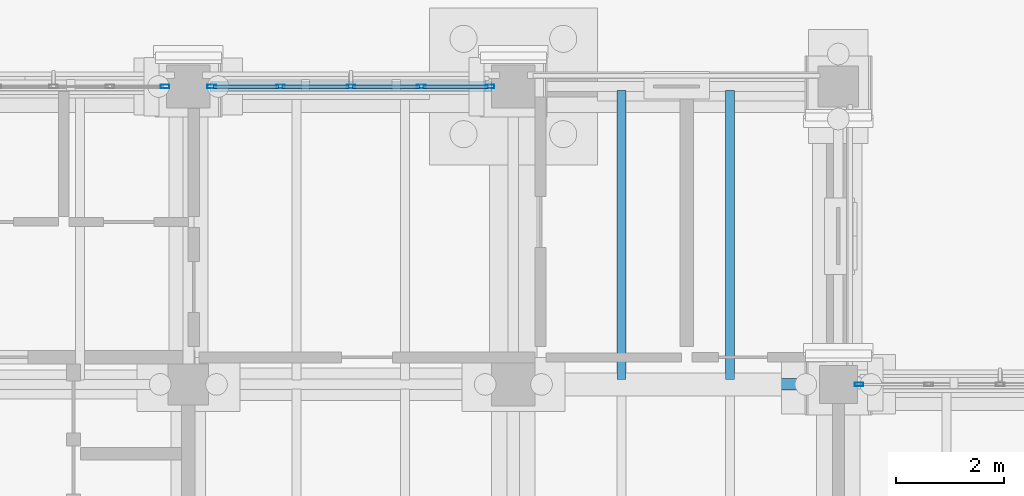
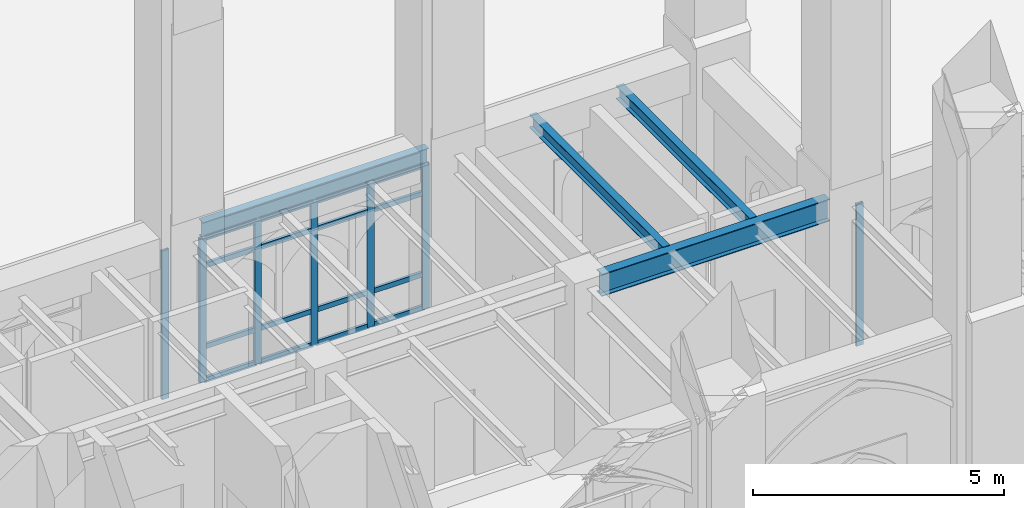
# One storey, part 25 of 135: 23 members, 4 beams, 3 elements without a shape of their own.
"""IFC4 building model written with IfcOpenShell, lengths in metres."""

from ifc_helpers import new_model, si_unit, direction, frame, origin, origin_2d, place, context, subcontext, project, spatial, hollow_rectangle, i_section, extrude, material, layer, layer_set, material_profile, profile_set, type_object, element, aggregate, save


model = new_model("IFC4")

# Units and contexts
model_context = context("Model", 3, precision=1e-05, world=origin(), true_north=direction((0.0, 1.0)))
body_context = subcontext(model_context, "Body", "Model", "MODEL_VIEW")
ifc_project = project(units=[si_unit("LENGTHUNIT", "METRE"), si_unit("AREAUNIT", "SQUARE_METRE"), si_unit("VOLUMEUNIT", "CUBIC_METRE"), si_unit("PLANEANGLEUNIT", "RADIAN"), si_unit("MASSUNIT", "GRAM", prefix="KILO")], contexts=[model_context])

# Site, building, storey
site_placement = place(None, origin())
site = spatial("IfcSite", under=ifc_project, at=site_placement, CompositionType="ELEMENT")
building_placement = place(site_placement, origin())
building = spatial("IfcBuilding", under=site, at=building_placement, Name="Cumevento Cable Car Station", CompositionType="ELEMENT")
storey_placement = place(building_placement, origin())
storey = spatial("IfcBuildingStorey", under=building, at=storey_placement, Name="L01", CompositionType="ELEMENT", Elevation=0.0)

# Curtain wall, member
ifc_material_1 = material(Name="Anodised Bronze Aluminium AW-6063-T6", Category="aluminium")
ifc_layer_1 = layer(ifc_material_1, 0.172119140625)
ifc_layer_set_1 = layer_set([ifc_layer_1], Name="Anodised Bronze Aluminium AW-6063-T6")
curtain_wall_type_1 = type_object("IfcCurtainWallType", Name="Lancet Curtain Wall CW-03 1130", PredefinedType="NOTDEFINED", material=ifc_layer_set_1)
curtain_wall_1_placement = place(storey_placement, origin())
curtain_wall_1 = element("IfcCurtainWall", 1, at=curtain_wall_1_placement, inside=storey, type_object=curtain_wall_type_1, Name="Lancet Curtain Wall CW-03 L01 #2", PredefinedType="NOTDEFINED")
ifc_material_2 = material(Name="Anodised Bronze Aluminium AW-6063-T6", Category="aluminium")
ifc_material_profile_1 = material_profile(ifc_material_2, hollow_rectangle(XDim=0.06494140625, YDim=0.159912109375, WallThickness=0.00390625, at=origin_2d()), Name="ALUM65x160x4")
ifc_profile_set_1 = profile_set([ifc_material_profile_1], Name="Anodised Bronze Aluminium AW-6063-T6")
member_type_1 = type_object("IfcMemberType", Name="Curtain Mullion CWM-01 ALUM65x160x4", PredefinedType="MULLION", material=ifc_profile_set_1)
member_1_placement = place(storey_placement, frame((33.5673828125, 15.0, 0.260009765625), z_axis=(0.0, 0.0, 1.0), x_axis=(0.0, 1.0, 0.0)))
member_1 = element("IfcMember", 2, at=member_1_placement, type_object=member_type_1, Name="CW-03 mullion 6", PredefinedType="MULLION", context=body_context, shape_type="SweptSolid", body=[
    extrude(hollow_rectangle(XDim=0.06494140625, YDim=0.159912109375, WallThickness=0.00390625, at=origin_2d()), origin(), (0.0, 0.0, 1.0), 3.62109375),
])
aggregate(curtain_wall_1, [member_1])

# Curtain wall, members
ifc_material_3 = material(Name="Anodised Bronze Aluminium AW-6063-T6", Category="aluminium")
ifc_layer_2 = layer(ifc_material_3, 0.18408203125)
ifc_layer_set_2 = layer_set([ifc_layer_2], Name="Anodised Bronze Aluminium AW-6063-T6")
curtain_wall_type_2 = type_object("IfcCurtainWallType", Name="Lancet Curtain Wall CW-05 1210", PredefinedType="NOTDEFINED", material=ifc_layer_set_2)
curtain_wall_2_placement = place(storey_placement, origin())
curtain_wall_2 = element("IfcCurtainWall", 3, at=curtain_wall_2_placement, inside=storey, type_object=curtain_wall_type_2, Name="Lancet Curtain Wall CW-05 L01 #4", PredefinedType="NOTDEFINED")
member_2_placement = place(storey_placement, frame((34.4326171875, 15.0, 0.360107421875), z_axis=(0.0, 0.0, 1.0), x_axis=(0.0, 1.0, 0.0)))
member_2 = element("IfcMember", 4, at=member_2_placement, type_object=member_type_1, Name="CW-05 mullion 1", PredefinedType="MULLION", context=body_context, shape_type="SweptSolid", body=[
    extrude(hollow_rectangle(XDim=0.06494140625, YDim=0.159912109375, WallThickness=0.00390625, at=origin_2d()), origin(), (0.0, 0.0, 1.0), 3.52099609375),
])
member_3_placement = place(storey_placement, frame((35.699951171875, 15.0, 0.360107421875), z_axis=(0.0, 0.0, 1.0), x_axis=(0.0, 1.0, 0.0)))
member_3 = element("IfcMember", 5, at=member_3_placement, type_object=member_type_1, Name="CW-05 mullion 2", PredefinedType="MULLION", context=body_context, shape_type="SweptSolid", body=[
    extrude(hollow_rectangle(XDim=0.06494140625, YDim=0.159912109375, WallThickness=0.00390625, at=origin_2d()), origin(), (0.0, 0.0, 1.0), 3.52099609375),
])
member_4_placement = place(storey_placement, frame((37.0, 15.0, 0.360107421875), z_axis=(0.0, 0.0, 1.0), x_axis=(0.0, 1.0, 0.0)))
member_4 = element("IfcMember", 6, at=member_4_placement, type_object=member_type_1, Name="CW-05 mullion 3", PredefinedType="MULLION", context=body_context, shape_type="SweptSolid", body=[
    extrude(hollow_rectangle(XDim=0.06494140625, YDim=0.159912109375, WallThickness=0.00390625, at=origin_2d()), origin(), (0.0, 0.0, 1.0), 3.52099609375),
])
member_5_placement = place(storey_placement, frame((38.300048828125, 15.0, 0.360107421875), z_axis=(0.0, 0.0, 1.0), x_axis=(0.0, 1.0, 0.0)))
member_5 = element("IfcMember", 7, at=member_5_placement, type_object=member_type_1, Name="CW-05 mullion 4", PredefinedType="MULLION", context=body_context, shape_type="SweptSolid", body=[
    extrude(hollow_rectangle(XDim=0.06494140625, YDim=0.159912109375, WallThickness=0.00390625, at=origin_2d()), origin(), (0.0, 0.0, 1.0), 3.52099609375),
])
member_6_placement = place(storey_placement, frame((39.5673828125, 15.0, 0.360107421875), z_axis=(0.0, 0.0, 1.0), x_axis=(0.0, 1.0, 0.0)))
member_6 = element("IfcMember", 8, at=member_6_placement, type_object=member_type_1, Name="CW-05 mullion 5", PredefinedType="MULLION", context=body_context, shape_type="SweptSolid", body=[
    extrude(hollow_rectangle(XDim=0.06494140625, YDim=0.159912109375, WallThickness=0.00390625, at=origin_2d()), origin(), (0.0, 0.0, 1.0), 3.52099609375),
])

# Curtain wall, member
ifc_material_4 = material(Name="Anodised Bronze Aluminium AW-6063-T6", Category="aluminium")
ifc_layer_3 = layer(ifc_material_4, 0.18994140625)
ifc_layer_set_3 = layer_set([ifc_layer_3], Name="Anodised Bronze Aluminium AW-6063-T6")
curtain_wall_type_3 = type_object("IfcCurtainWallType", Name="Lancet Curtain Wall CW-06 1250", PredefinedType="NOTDEFINED", material=ifc_layer_set_3)
curtain_wall_3_placement = place(storey_placement, origin())
curtain_wall_3 = element("IfcCurtainWall", 9, at=curtain_wall_3_placement, inside=storey, type_object=curtain_wall_type_3, Name="Lancet Curtain Wall CW-06 L01 #5", PredefinedType="NOTDEFINED")
member_7_placement = place(storey_placement, frame((46.382568359375, 9.5, 0.409912109375), z_axis=(0.0, 0.0, 1.0), x_axis=(0.0, 1.0, 0.0)))
member_7 = element("IfcMember", 10, at=member_7_placement, type_object=member_type_1, Name="CW-06 mullion 1", PredefinedType="MULLION", context=body_context, shape_type="SweptSolid", body=[
    extrude(hollow_rectangle(XDim=0.06494140625, YDim=0.159912109375, WallThickness=0.00390625, at=origin_2d()), origin(), (0.0, 0.0, 1.0), 3.458984375),
])
aggregate(curtain_wall_3, [member_7])

# Member
ifc_material_5 = material(Name="Anodised Bronze Aluminium AW-6063-T6", Category="aluminium")
ifc_material_profile_2 = material_profile(ifc_material_5, hollow_rectangle(XDim=0.06494140625, YDim=0.1201171875, WallThickness=0.00390625, at=origin_2d()), Name="ALUT65x120x4")
ifc_profile_set_2 = profile_set([ifc_material_profile_2], Name="Anodised Bronze Aluminium AW-6063-T6")
member_type_2 = type_object("IfcMemberType", Name="Curtain Transom CWT-01 ALUT65x120x4", PredefinedType="USERDEFINED", material=ifc_profile_set_2)
member_8_placement = place(storey_placement, frame((34.465087890625, 15.0, 0.392578125), z_axis=(1.0, 0.0, 0.0), x_axis=(0.0, 1.0, 0.0)))
member_8 = element("IfcMember", 11, at=member_8_placement, type_object=member_type_2, Name="CW-05 transom 1.1", ObjectType="TRANSOM", PredefinedType="USERDEFINED", context=body_context, shape_type="SweptSolid", body=[
    extrude(hollow_rectangle(XDim=0.06494140625, YDim=0.1201171875, WallThickness=0.00390625, at=origin_2d()), origin(), (0.0, 0.0, 1.0), 1.202392578125),
])

member_9_placement = place(storey_placement, frame((34.465087890625, 15.0, 1.2099609375), z_axis=(1.0, 0.0, 0.0), x_axis=(0.0, 1.0, 0.0)))
member_9 = element("IfcMember", 12, at=member_9_placement, type_object=member_type_2, Name="CW-05 transom 1.2", ObjectType="TRANSOM", PredefinedType="USERDEFINED", context=body_context, shape_type="SweptSolid", body=[
    extrude(hollow_rectangle(XDim=0.06494140625, YDim=0.1201171875, WallThickness=0.00390625, at=origin_2d()), origin(), (0.0, 0.0, 1.0), 1.202392578125),
])

member_10_placement = place(storey_placement, frame((34.465087890625, 15.0, 3.180908203125), z_axis=(1.0, 0.0, 0.0), x_axis=(0.0, 1.0, 0.0)))
member_10 = element("IfcMember", 13, at=member_10_placement, type_object=member_type_2, Name="CW-05 transom 1.3", ObjectType="TRANSOM", PredefinedType="USERDEFINED", context=body_context, shape_type="SweptSolid", body=[
    extrude(hollow_rectangle(XDim=0.06494140625, YDim=0.1201171875, WallThickness=0.00390625, at=origin_2d()), origin(), (0.0, 0.0, 1.0), 1.202392578125),
])

member_11_placement = place(storey_placement, frame((34.465087890625, 15.0, 3.848388671875), z_axis=(1.0, 0.0, 0.0), x_axis=(0.0, 1.0, 0.0)))
member_11 = element("IfcMember", 14, at=member_11_placement, type_object=member_type_2, Name="CW-05 transom 1.4", ObjectType="TRANSOM", PredefinedType="USERDEFINED", context=body_context, shape_type="SweptSolid", body=[
    extrude(hollow_rectangle(XDim=0.06494140625, YDim=0.1201171875, WallThickness=0.00390625, at=origin_2d()), origin(), (0.0, 0.0, 1.0), 1.202392578125),
])

member_12_placement = place(storey_placement, frame((35.732421875, 15.0, 0.392578125), z_axis=(1.0, 0.0, 0.0), x_axis=(0.0, 1.0, 0.0)))
member_12 = element("IfcMember", 15, at=member_12_placement, type_object=member_type_2, Name="CW-05 transom 2.1", ObjectType="TRANSOM", PredefinedType="USERDEFINED", context=body_context, shape_type="SweptSolid", body=[
    extrude(hollow_rectangle(XDim=0.06494140625, YDim=0.1201171875, WallThickness=0.00390625, at=origin_2d()), origin(), (0.0, 0.0, 1.0), 1.235107421875),
])

member_13_placement = place(storey_placement, frame((35.732421875, 15.0, 1.2099609375), z_axis=(1.0, 0.0, 0.0), x_axis=(0.0, 1.0, 0.0)))
member_13 = element("IfcMember", 16, at=member_13_placement, type_object=member_type_2, Name="CW-05 transom 2.2", ObjectType="TRANSOM", PredefinedType="USERDEFINED", context=body_context, shape_type="SweptSolid", body=[
    extrude(hollow_rectangle(XDim=0.06494140625, YDim=0.1201171875, WallThickness=0.00390625, at=origin_2d()), origin(), (0.0, 0.0, 1.0), 1.235107421875),
])

member_14_placement = place(storey_placement, frame((35.732421875, 15.0, 3.180908203125), z_axis=(1.0, 0.0, 0.0), x_axis=(0.0, 1.0, 0.0)))
member_14 = element("IfcMember", 17, at=member_14_placement, type_object=member_type_2, Name="CW-05 transom 2.3", ObjectType="TRANSOM", PredefinedType="USERDEFINED", context=body_context, shape_type="SweptSolid", body=[
    extrude(hollow_rectangle(XDim=0.06494140625, YDim=0.1201171875, WallThickness=0.00390625, at=origin_2d()), origin(), (0.0, 0.0, 1.0), 1.235107421875),
])

member_15_placement = place(storey_placement, frame((35.732421875, 15.0, 3.848388671875), z_axis=(1.0, 0.0, 0.0), x_axis=(0.0, 1.0, 0.0)))
member_15 = element("IfcMember", 18, at=member_15_placement, type_object=member_type_2, Name="CW-05 transom 2.4", ObjectType="TRANSOM", PredefinedType="USERDEFINED", context=body_context, shape_type="SweptSolid", body=[
    extrude(hollow_rectangle(XDim=0.06494140625, YDim=0.1201171875, WallThickness=0.00390625, at=origin_2d()), origin(), (0.0, 0.0, 1.0), 1.235107421875),
])

member_16_placement = place(storey_placement, frame((37.032470703125, 15.0, 0.392578125), z_axis=(1.0, 0.0, 0.0), x_axis=(0.0, 1.0, 0.0)))
member_16 = element("IfcMember", 19, at=member_16_placement, type_object=member_type_2, Name="CW-05 transom 3.1", ObjectType="TRANSOM", PredefinedType="USERDEFINED", context=body_context, shape_type="SweptSolid", body=[
    extrude(hollow_rectangle(XDim=0.06494140625, YDim=0.1201171875, WallThickness=0.00390625, at=origin_2d()), origin(), (0.0, 0.0, 1.0), 1.235107421875),
])

member_17_placement = place(storey_placement, frame((37.032470703125, 15.0, 1.2099609375), z_axis=(1.0, 0.0, 0.0), x_axis=(0.0, 1.0, 0.0)))
member_17 = element("IfcMember", 20, at=member_17_placement, type_object=member_type_2, Name="CW-05 transom 3.2", ObjectType="TRANSOM", PredefinedType="USERDEFINED", context=body_context, shape_type="SweptSolid", body=[
    extrude(hollow_rectangle(XDim=0.06494140625, YDim=0.1201171875, WallThickness=0.00390625, at=origin_2d()), origin(), (0.0, 0.0, 1.0), 1.235107421875),
])

member_18_placement = place(storey_placement, frame((37.032470703125, 15.0, 3.180908203125), z_axis=(1.0, 0.0, 0.0), x_axis=(0.0, 1.0, 0.0)))
member_18 = element("IfcMember", 21, at=member_18_placement, type_object=member_type_2, Name="CW-05 transom 3.3", ObjectType="TRANSOM", PredefinedType="USERDEFINED", context=body_context, shape_type="SweptSolid", body=[
    extrude(hollow_rectangle(XDim=0.06494140625, YDim=0.1201171875, WallThickness=0.00390625, at=origin_2d()), origin(), (0.0, 0.0, 1.0), 1.235107421875),
])

member_19_placement = place(storey_placement, frame((37.032470703125, 15.0, 3.848388671875), z_axis=(1.0, 0.0, 0.0), x_axis=(0.0, 1.0, 0.0)))
member_19 = element("IfcMember", 22, at=member_19_placement, type_object=member_type_2, Name="CW-05 transom 3.4", ObjectType="TRANSOM", PredefinedType="USERDEFINED", context=body_context, shape_type="SweptSolid", body=[
    extrude(hollow_rectangle(XDim=0.06494140625, YDim=0.1201171875, WallThickness=0.00390625, at=origin_2d()), origin(), (0.0, 0.0, 1.0), 1.235107421875),
])

member_20_placement = place(storey_placement, frame((38.33251953125, 15.0, 0.392578125), z_axis=(1.0, 0.0, 0.0), x_axis=(0.0, 1.0, 0.0)))
member_20 = element("IfcMember", 23, at=member_20_placement, type_object=member_type_2, Name="CW-05 transom 4.1", ObjectType="TRANSOM", PredefinedType="USERDEFINED", context=body_context, shape_type="SweptSolid", body=[
    extrude(hollow_rectangle(XDim=0.06494140625, YDim=0.1201171875, WallThickness=0.00390625, at=origin_2d()), origin(), (0.0, 0.0, 1.0), 1.202392578125),
])

member_21_placement = place(storey_placement, frame((38.33251953125, 15.0, 1.2099609375), z_axis=(1.0, 0.0, 0.0), x_axis=(0.0, 1.0, 0.0)))
member_21 = element("IfcMember", 24, at=member_21_placement, type_object=member_type_2, Name="CW-05 transom 4.2", ObjectType="TRANSOM", PredefinedType="USERDEFINED", context=body_context, shape_type="SweptSolid", body=[
    extrude(hollow_rectangle(XDim=0.06494140625, YDim=0.1201171875, WallThickness=0.00390625, at=origin_2d()), origin(), (0.0, 0.0, 1.0), 1.202392578125),
])

member_22_placement = place(storey_placement, frame((38.33251953125, 15.0, 3.180908203125), z_axis=(1.0, 0.0, 0.0), x_axis=(0.0, 1.0, 0.0)))
member_22 = element("IfcMember", 25, at=member_22_placement, type_object=member_type_2, Name="CW-05 transom 4.3", ObjectType="TRANSOM", PredefinedType="USERDEFINED", context=body_context, shape_type="SweptSolid", body=[
    extrude(hollow_rectangle(XDim=0.06494140625, YDim=0.1201171875, WallThickness=0.00390625, at=origin_2d()), origin(), (0.0, 0.0, 1.0), 1.202392578125),
])

member_23_placement = place(storey_placement, frame((38.33251953125, 15.0, 3.848388671875), z_axis=(1.0, 0.0, 0.0), x_axis=(0.0, 1.0, 0.0)))
member_23 = element("IfcMember", 26, at=member_23_placement, type_object=member_type_2, Name="CW-05 transom 4.4", ObjectType="TRANSOM", PredefinedType="USERDEFINED", context=body_context, shape_type="SweptSolid", body=[
    extrude(hollow_rectangle(XDim=0.06494140625, YDim=0.1201171875, WallThickness=0.00390625, at=origin_2d()), origin(), (0.0, 0.0, 1.0), 1.202392578125),
])

aggregate(curtain_wall_2, [member_2, member_3, member_4, member_5, member_6, member_8, member_9, member_10, member_11, member_12, member_13, member_14, member_15, member_16, member_17, member_18, member_19, member_20, member_21, member_22, member_23])

# Beams
ifc_material_6 = material(Name="Steel ASTM A572 Grade 50", Category="steel")
ifc_material_profile_3 = material_profile(ifc_material_6, i_section(OverallWidth=0.2109375, OverallDepth=0.5390625, WebThickness=0.01171875, FlangeThickness=0.018798828125, at=origin_2d()), Name="W530x109.0")
ifc_profile_set_3 = profile_set([ifc_material_profile_3], Name="Steel ASTM A572 Grade 50")
beam_type_1 = type_object("IfcBeamType", Name="Structural Beam BM-11 W530x109.0", PredefinedType="BEAM", material=ifc_profile_set_3)
beam_1_placement = place(storey_placement, frame((40.39990234375, 9.5, 4.006591796875), z_axis=(1.0, 0.0, 0.0), x_axis=(0.0, 1.0, 0.0)))
element("IfcBeam", 27, at=beam_1_placement, inside=storey, type_object=beam_type_1, Name="Beam BM-11 L01 #8", PredefinedType="BEAM", context=body_context, shape_type="SweptSolid", body=[
    extrude(i_section(OverallWidth=0.2109375, OverallDepth=0.5390625, WebThickness=0.01171875, FlangeThickness=0.018798828125, at=origin_2d()), origin(), (0.0, 0.0, 1.0), 5.25),
])
ifc_material_7 = material(Name="Steel ASTM A572 Grade 50", Category="steel")
ifc_material_profile_4 = material_profile(ifc_material_7, i_section(OverallWidth=0.1669921875, OverallDepth=0.31689453125, WebThickness=0.007568359375, FlangeThickness=0.01318359375, at=origin_2d()), Name="W310x52.0")
ifc_profile_set_4 = profile_set([ifc_material_profile_4], Name="Steel ASTM A572 Grade 50")
beam_type_2 = type_object("IfcBeamType", Name="Structural Joist JS-02 W310x52.0", PredefinedType="JOIST", material=ifc_profile_set_4)
for number, where, z_axis, x_axis, name in (
    (28, (42.0, 9.593505859375, 4.12939453125), (0.0, 1.0, 0.0), (-1.0, 0.0, 0.0), "Composite Floor Joist JS-02 L01 #314"),
    (29, (44.0, 9.593505859375, 4.12939453125), (0.0, 1.0, 0.0), (-1.0, 0.0, 0.0), "Composite Floor Joist JS-02 L01 #316"),
):
    element("IfcBeam", number, at=place(storey_placement, frame(where, z_axis=z_axis, x_axis=x_axis)), inside=storey, type_object=beam_type_2, Name=name, PredefinedType="JOIST", context=body_context, shape_type="SweptSolid", body=[
        extrude(i_section(OverallWidth=0.1669921875, OverallDepth=0.31689453125, WebThickness=0.007568359375, FlangeThickness=0.01318359375, at=origin_2d()), origin(), (0.0, 0.0, 1.0), 5.32958984375),
    ])
ifc_material_8 = material(Name="Steel ASTM A572 Grade 50", Category="steel")
ifc_material_profile_5 = material_profile(ifc_material_8, i_section(OverallWidth=0.177978515625, OverallDepth=0.406982421875, WebThickness=0.0078125, FlangeThickness=0.0126953125, at=origin_2d()), Name="W410x60.0")
ifc_profile_set_5 = profile_set([ifc_material_profile_5], Name="Steel ASTM A572 Grade 50")
beam_type_3 = type_object("IfcBeamType", Name="Structural Spandrel SP-01 W410x60.0", PredefinedType="SPANDREL", material=ifc_profile_set_5)
beam_2_placement = place(storey_placement, frame((34.39990234375, 15.0, 4.08447265625), z_axis=(1.0, 0.0, 0.0), x_axis=(0.0, 1.0, 0.0)))
element("IfcBeam", 30, at=beam_2_placement, inside=storey, type_object=beam_type_3, Name="Beam SP-01 L01 #11", PredefinedType="SPANDREL", context=body_context, shape_type="SweptSolid", body=[
    extrude(i_section(OverallWidth=0.177978515625, OverallDepth=0.406982421875, WebThickness=0.0078125, FlangeThickness=0.0126953125, at=origin_2d()), origin(), (0.0, 0.0, 1.0), 5.2001953125),
])

save(model, "model.ifc")
